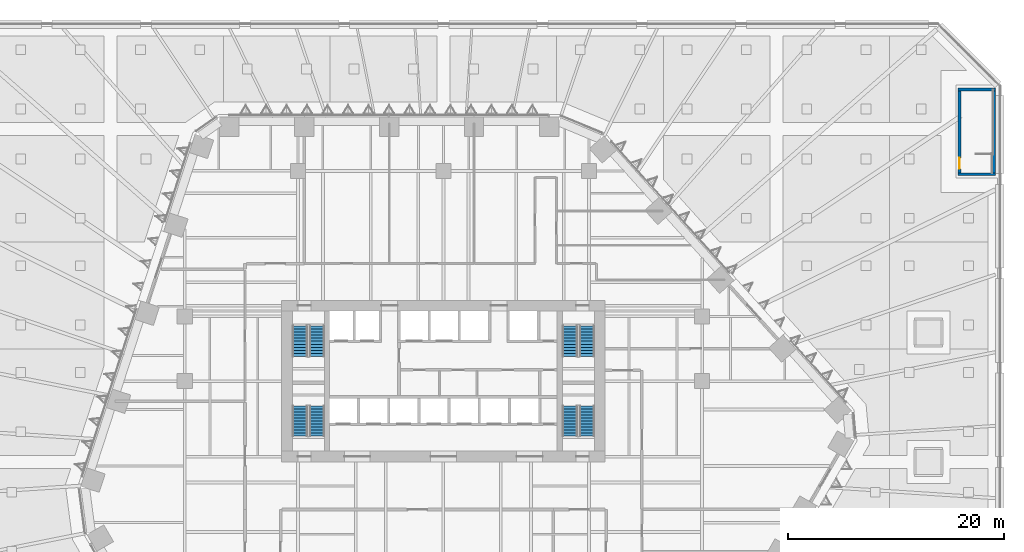
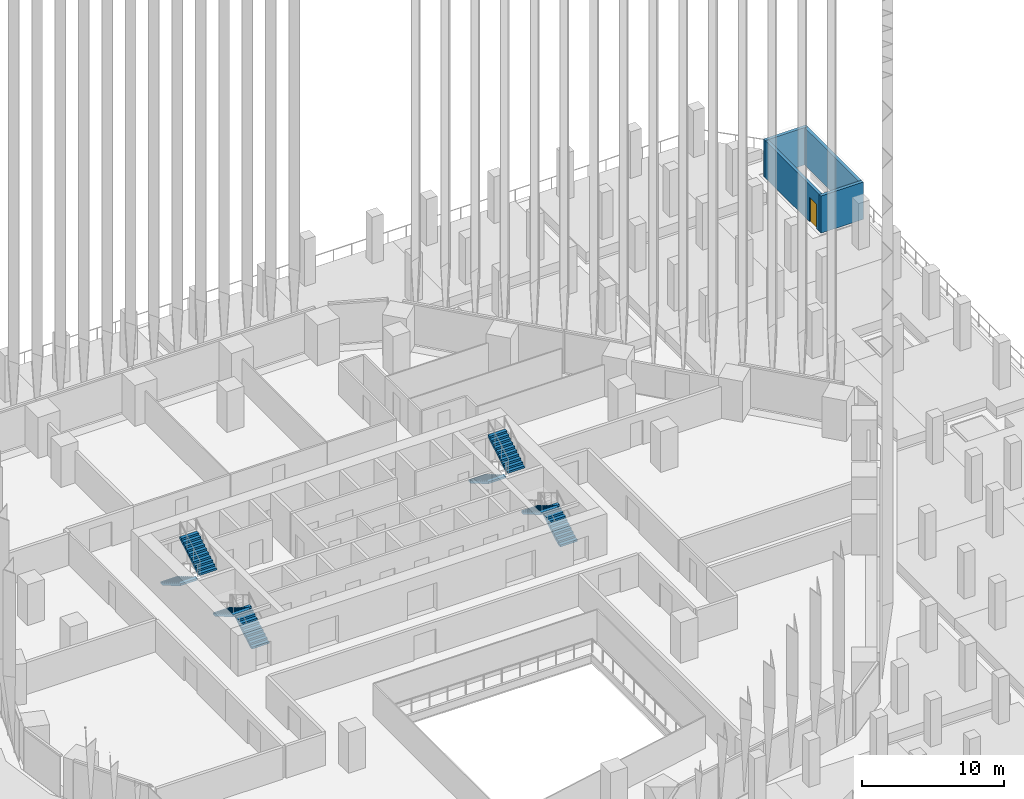
# One storey, part 29 of 51: 8 stair flights, 4 walls, 1 door, 1 opening, 4 elements without a shape of their own.
"""IFC4 building model written with IfcOpenShell, lengths in metres."""

from ifc_helpers import new_model, si_unit, direction, frame, frame_2d, origin, place, context, subcontext, project, spatial, polyline, rectangle, outline, extrude, material, layer, layer_set, type_object, element, fill, aggregate, save


model = new_model("IFC4")

# Units and contexts
model_context = context("Model", 3, precision=1e-05, world=origin(), true_north=direction((0.0, 1.0)))
body_context = subcontext(model_context, "Body", "Model", "MODEL_VIEW")
ifc_project = project(units=[si_unit("LENGTHUNIT", "METRE"), si_unit("AREAUNIT", "SQUARE_METRE"), si_unit("VOLUMEUNIT", "CUBIC_METRE"), si_unit("PLANEANGLEUNIT", "RADIAN"), si_unit("MASSUNIT", "GRAM", prefix="KILO")], contexts=[model_context])

# Site, building, storey
site_placement = place(None, origin())
site = spatial("IfcSite", under=ifc_project, at=site_placement, CompositionType="ELEMENT")
building_placement = place(site_placement, origin())
building = spatial("IfcBuilding", under=site, at=building_placement, Name="Isthmus Gate Tower", CompositionType="ELEMENT")
storey_placement = place(building_placement, frame((0.0, 0.0, 36.0)))
storey = spatial("IfcBuildingStorey", under=building, at=storey_placement, Name="L06", CompositionType="ELEMENT", Elevation=36.0)

# Walls
ifc_material_1 = material(Name="Concrete f'c 40 MPa", Category="concrete")
ifc_layer = layer(ifc_material_1, 0.25)
ifc_layer_set = layer_set([ifc_layer])
wall_type = type_object("IfcWallType", Name="Stair shaft wall 250 reinforced concrete", PredefinedType="SHEAR", material=ifc_layer_set)
for number, where, z_axis, x_axis, name in (
    (1, (47.75, 26.699951171875, 0.0), (0.0, 0.0, 1.0), (1.0, 0.0, 0.0), "Stair head-house wall"),
    (2, (47.75, 34.550048828125, 0.0), (0.0, 0.0, 1.0), (1.0, 0.0, 0.0), "Stair head-house wall"),
):
    element("IfcWall", number, at=place(storey_placement, frame(where, z_axis=z_axis, x_axis=x_axis)), inside=storey, type_object=wall_type, Name=name, PredefinedType="SHEAR", context=body_context, shape_type="SweptSolid", body=[
        extrude(rectangle(XDim=3.449951171875, YDim=0.25, at=frame_2d((1.72509765625, 0.0))), origin(), (0.0, 0.0, 1.0), 3.199951171875),
    ])

# Wall, opening, door
wall_1_placement = place(storey_placement, frame((47.875, 26.824951171875, 0.0), z_axis=(0.0, 0.0, 1.0), x_axis=(0.0, 1.0, 0.0)))
wall_1 = element("IfcWall", 3, at=wall_1_placement, inside=storey, type_object=wall_type, Name="Stair head-house wall", PredefinedType="SHEAR", context=body_context, shape_type="SweptSolid", body=[
    extrude(rectangle(XDim=7.60009765625, YDim=0.25, at=frame_2d((3.800048828125, 0.0))), origin(), (0.0, 0.0, 1.0), 3.199951171875),
])
opening_placement = place(wall_1_placement, frame((0.375, 0.0, 0.0)))
opening = element("IfcOpeningElement", 4, at=opening_placement, cuts=wall_1, Name="Opening DP06-51", PredefinedType="OPENING", context=body_context, shape_type="SweptSolid", body=[
    extrude(rectangle(XDim=1.0, YDim=2.10009765625, at=frame_2d((0.5, 1.050048828125))), frame((0.0, 0.135009765625, 0.0), z_axis=(0.0, -1.0, 0.0), x_axis=(1.0, 0.0, 0.0)), (0.0, 0.0, 1.0), 0.27001953125),
])
ifc_material_2 = material(Name="Steel fire door with intumescent seals", Category="steel")
door_type = type_object("IfcDoorType", Name="Fire door 1000 x 2100", OperationType="SINGLE_SWING_LEFT", PredefinedType="DOOR", material=ifc_material_2)
door_placement = place(opening_placement, origin())
door = element("IfcDoor", 5, at=door_placement, inside=storey, type_object=door_type, Name="Door DP06-51", OperationType="SINGLE_SWING_LEFT", OverallHeight=2.10009765625, OverallWidth=1.0, PredefinedType="DOOR", context=body_context, shape_type="SweptSolid", body=[
    extrude(rectangle(XDim=1.0, YDim=2.10009765625, at=frame_2d((0.5, 1.050048828125))), frame((0.0, 0.02490234375, 0.0), z_axis=(0.0, -1.0, 0.0), x_axis=(1.0, 0.0, 0.0)), (0.0, 0.0, 1.0), 0.050048828125),
])
fill(opening, door)

# Wall
wall_2_placement = place(storey_placement, frame((51.074951171875, 26.824951171875, 0.0), z_axis=(0.0, 0.0, 1.0), x_axis=(0.0, 1.0, 0.0)))
element("IfcWall", 6, at=wall_2_placement, inside=storey, type_object=wall_type, Name="Stair head-house wall", PredefinedType="SHEAR", context=body_context, shape_type="SweptSolid", body=[
    extrude(rectangle(XDim=7.60009765625, YDim=0.25, at=frame_2d((3.800048828125, 0.0))), origin(), (0.0, 0.0, 1.0), 3.199951171875),
])

# Stair, stair flights
ifc_material_3 = material(Name="Concrete f'c 40 MPa", Category="concrete")
stair_type = type_object("IfcStairType", Name="CORE STAIR 22 RISERS", PredefinedType="HALF_TURN_STAIR", material=ifc_material_3)
stair_1_placement = place(storey_placement, origin())
stair_1 = element("IfcStair", 7, at=stair_1_placement, inside=storey, type_object=stair_type, Name="L06 Exit Stair 1", PredefinedType="HALF_TURN_STAIR")
ifc_material_4 = material(Name="Concrete f'c 40 MPa", Category="concrete")
stair_flight_type = type_object("IfcStairFlightType", Name="STAIR FLIGHT RC 1400", PredefinedType="STRAIGHT", material=ifc_material_4)
stair_flight_1_placement = place(storey_placement, frame((-13.300048828125, 12.60009765625, 0.0), z_axis=(0.0, 0.0, 1.0), x_axis=(0.0, -1.0, 0.0)))
stair_flight_1 = element("IfcStairFlight", 8, at=stair_flight_1_placement, type_object=stair_flight_type, Name="ST1 flight 1", NumberOfRisers=11, NumberOfTreads=10, PredefinedType="STRAIGHT", RiserHeight=0.165909091, TreadLength=0.28, context=body_context, shape_type="SweptSolid", body=[
    extrude(outline(polyline([(0.0, 0.0), (0.0, 0.166015625), (0.280029296875, 0.166015625), (0.280029296875, 0.331787109375), (0.56005859375, 0.331787109375), (0.56005859375, 0.497802734375), (0.840087890625, 0.497802734375), (0.840087890625, 0.66357421875), (1.1201171875, 0.66357421875), (1.1201171875, 0.82958984375), (1.39990234375, 0.82958984375), (1.39990234375, 0.995361328125), (1.679931640625, 0.995361328125), (1.679931640625, 1.161376953125), (1.9599609375, 1.161376953125), (1.9599609375, 1.327392578125), (2.239990234375, 1.327392578125), (2.239990234375, 1.4931640625), (2.52001953125, 1.4931640625), (2.52001953125, 1.6591796875), (2.800048828125, 1.6591796875), (2.800048828125, 1.824951171875), (2.800048828125, 1.48486328125), (0.2939453125, 0.0), (0.0, 0.0)])), frame((0.0, 0.699951171875, 0.0), z_axis=(0.0, -1.0, 0.0), x_axis=(1.0, 0.0, 0.0)), (0.0, 0.0, 1.0), 1.39990234375),
])
stair_flight_2_placement = place(storey_placement, frame((-11.75, 9.800048828125, 1.824951171875), z_axis=(0.0, 0.0, 1.0), x_axis=(0.0, 1.0, 0.0)))
stair_flight_2 = element("IfcStairFlight", 9, at=stair_flight_2_placement, type_object=stair_flight_type, Name="ST1 flight 2", NumberOfRisers=11, NumberOfTreads=10, PredefinedType="STRAIGHT", RiserHeight=0.165909091, TreadLength=0.28, context=body_context, shape_type="SweptSolid", body=[
    extrude(outline(polyline([(0.0, 0.0), (0.0, 0.166015625), (0.280029296875, 0.166015625), (0.280029296875, 0.331787109375), (0.56005859375, 0.331787109375), (0.56005859375, 0.497802734375), (0.840087890625, 0.497802734375), (0.840087890625, 0.66357421875), (1.1201171875, 0.66357421875), (1.1201171875, 0.82958984375), (1.39990234375, 0.82958984375), (1.39990234375, 0.995361328125), (1.679931640625, 0.995361328125), (1.679931640625, 1.161376953125), (1.9599609375, 1.161376953125), (1.9599609375, 1.327392578125), (2.239990234375, 1.327392578125), (2.239990234375, 1.4931640625), (2.52001953125, 1.4931640625), (2.52001953125, 1.6591796875), (2.800048828125, 1.6591796875), (2.800048828125, 1.824951171875), (2.800048828125, 1.48486328125), (0.2939453125, 0.0), (0.0, 0.0)])), frame((0.0, 0.699951171875, 0.0), z_axis=(0.0, -1.0, 0.0), x_axis=(1.0, 0.0, 0.0)), (0.0, 0.0, 1.0), 1.39990234375),
])
aggregate(stair_1, [stair_flight_1, stair_flight_2])

stair_2_placement = place(storey_placement, origin())
stair_2 = element("IfcStair", 10, at=stair_2_placement, inside=storey, type_object=stair_type, Name="L06 Exit Stair 2", PredefinedType="HALF_TURN_STAIR")
stair_flight_3_placement = place(storey_placement, frame((11.75, 12.60009765625, 0.0), z_axis=(0.0, 0.0, 1.0), x_axis=(0.0, -1.0, 0.0)))
stair_flight_3 = element("IfcStairFlight", 11, at=stair_flight_3_placement, type_object=stair_flight_type, Name="ST2 flight 1", NumberOfRisers=11, NumberOfTreads=10, PredefinedType="STRAIGHT", RiserHeight=0.165909091, TreadLength=0.28, context=body_context, shape_type="SweptSolid", body=[
    extrude(outline(polyline([(0.0, 0.0), (0.0, 0.166015625), (0.280029296875, 0.166015625), (0.280029296875, 0.331787109375), (0.56005859375, 0.331787109375), (0.56005859375, 0.497802734375), (0.840087890625, 0.497802734375), (0.840087890625, 0.66357421875), (1.1201171875, 0.66357421875), (1.1201171875, 0.82958984375), (1.39990234375, 0.82958984375), (1.39990234375, 0.995361328125), (1.679931640625, 0.995361328125), (1.679931640625, 1.161376953125), (1.9599609375, 1.161376953125), (1.9599609375, 1.327392578125), (2.239990234375, 1.327392578125), (2.239990234375, 1.4931640625), (2.52001953125, 1.4931640625), (2.52001953125, 1.6591796875), (2.800048828125, 1.6591796875), (2.800048828125, 1.824951171875), (2.800048828125, 1.48486328125), (0.2939453125, 0.0), (0.0, 0.0)])), frame((0.0, 0.699951171875, 0.0), z_axis=(0.0, -1.0, 0.0), x_axis=(1.0, 0.0, 0.0)), (0.0, 0.0, 1.0), 1.39990234375),
])
stair_flight_4_placement = place(storey_placement, frame((13.300048828125, 9.800048828125, 1.824951171875), z_axis=(0.0, 0.0, 1.0), x_axis=(0.0, 1.0, 0.0)))
stair_flight_4 = element("IfcStairFlight", 12, at=stair_flight_4_placement, type_object=stair_flight_type, Name="ST2 flight 2", NumberOfRisers=11, NumberOfTreads=10, PredefinedType="STRAIGHT", RiserHeight=0.165909091, TreadLength=0.28, context=body_context, shape_type="SweptSolid", body=[
    extrude(outline(polyline([(0.0, 0.0), (0.0, 0.166015625), (0.280029296875, 0.166015625), (0.280029296875, 0.331787109375), (0.56005859375, 0.331787109375), (0.56005859375, 0.497802734375), (0.840087890625, 0.497802734375), (0.840087890625, 0.66357421875), (1.1201171875, 0.66357421875), (1.1201171875, 0.82958984375), (1.39990234375, 0.82958984375), (1.39990234375, 0.995361328125), (1.679931640625, 0.995361328125), (1.679931640625, 1.161376953125), (1.9599609375, 1.161376953125), (1.9599609375, 1.327392578125), (2.239990234375, 1.327392578125), (2.239990234375, 1.4931640625), (2.52001953125, 1.4931640625), (2.52001953125, 1.6591796875), (2.800048828125, 1.6591796875), (2.800048828125, 1.824951171875), (2.800048828125, 1.48486328125), (0.2939453125, 0.0), (0.0, 0.0)])), frame((0.0, 0.699951171875, 0.0), z_axis=(0.0, -1.0, 0.0), x_axis=(1.0, 0.0, 0.0)), (0.0, 0.0, 1.0), 1.39990234375),
])
aggregate(stair_2, [stair_flight_3, stair_flight_4])

stair_3_placement = place(storey_placement, origin())
stair_3 = element("IfcStair", 13, at=stair_3_placement, inside=storey, type_object=stair_type, Name="L06 Exit Stair 7", PredefinedType="HALF_TURN_STAIR")
stair_flight_5_placement = place(storey_placement, frame((-11.75, 2.39990234375, 0.0), z_axis=(0.0, 0.0, 1.0), x_axis=(0.0, 1.0, 0.0)))
stair_flight_5 = element("IfcStairFlight", 14, at=stair_flight_5_placement, type_object=stair_flight_type, Name="ST7 flight 1", NumberOfRisers=11, NumberOfTreads=10, PredefinedType="STRAIGHT", RiserHeight=0.165909091, TreadLength=0.28, context=body_context, shape_type="SweptSolid", body=[
    extrude(outline(polyline([(0.0, 0.0), (0.0, 0.166015625), (0.280029296875, 0.166015625), (0.280029296875, 0.331787109375), (0.56005859375, 0.331787109375), (0.56005859375, 0.497802734375), (0.840087890625, 0.497802734375), (0.840087890625, 0.66357421875), (1.1201171875, 0.66357421875), (1.1201171875, 0.82958984375), (1.39990234375, 0.82958984375), (1.39990234375, 0.995361328125), (1.679931640625, 0.995361328125), (1.679931640625, 1.161376953125), (1.9599609375, 1.161376953125), (1.9599609375, 1.327392578125), (2.239990234375, 1.327392578125), (2.239990234375, 1.4931640625), (2.52001953125, 1.4931640625), (2.52001953125, 1.6591796875), (2.800048828125, 1.6591796875), (2.800048828125, 1.824951171875), (2.800048828125, 1.48486328125), (0.2939453125, 0.0), (0.0, 0.0)])), frame((0.0, 0.699951171875, 0.0), z_axis=(0.0, -1.0, 0.0), x_axis=(1.0, 0.0, 0.0)), (0.0, 0.0, 1.0), 1.39990234375),
])
stair_flight_6_placement = place(storey_placement, frame((-13.300048828125, 5.199951171875, 1.824951171875), z_axis=(0.0, 0.0, 1.0), x_axis=(0.0, -1.0, 0.0)))
stair_flight_6 = element("IfcStairFlight", 15, at=stair_flight_6_placement, type_object=stair_flight_type, Name="ST7 flight 2", NumberOfRisers=11, NumberOfTreads=10, PredefinedType="STRAIGHT", RiserHeight=0.165909091, TreadLength=0.28, context=body_context, shape_type="SweptSolid", body=[
    extrude(outline(polyline([(0.0, 0.0), (0.0, 0.166015625), (0.280029296875, 0.166015625), (0.280029296875, 0.331787109375), (0.56005859375, 0.331787109375), (0.56005859375, 0.497802734375), (0.840087890625, 0.497802734375), (0.840087890625, 0.66357421875), (1.1201171875, 0.66357421875), (1.1201171875, 0.82958984375), (1.39990234375, 0.82958984375), (1.39990234375, 0.995361328125), (1.679931640625, 0.995361328125), (1.679931640625, 1.161376953125), (1.9599609375, 1.161376953125), (1.9599609375, 1.327392578125), (2.239990234375, 1.327392578125), (2.239990234375, 1.4931640625), (2.52001953125, 1.4931640625), (2.52001953125, 1.6591796875), (2.800048828125, 1.6591796875), (2.800048828125, 1.824951171875), (2.800048828125, 1.48486328125), (0.2939453125, 0.0), (0.0, 0.0)])), frame((0.0, 0.699951171875, 0.0), z_axis=(0.0, -1.0, 0.0), x_axis=(1.0, 0.0, 0.0)), (0.0, 0.0, 1.0), 1.39990234375),
])
aggregate(stair_3, [stair_flight_5, stair_flight_6])

stair_4_placement = place(storey_placement, origin())
stair_4 = element("IfcStair", 16, at=stair_4_placement, inside=storey, type_object=stair_type, Name="L06 Exit Stair 8", PredefinedType="HALF_TURN_STAIR")
stair_flight_7_placement = place(storey_placement, frame((13.300048828125, 2.39990234375, 0.0), z_axis=(0.0, 0.0, 1.0), x_axis=(0.0, 1.0, 0.0)))
stair_flight_7 = element("IfcStairFlight", 17, at=stair_flight_7_placement, type_object=stair_flight_type, Name="ST8 flight 1", NumberOfRisers=11, NumberOfTreads=10, PredefinedType="STRAIGHT", RiserHeight=0.165909091, TreadLength=0.28, context=body_context, shape_type="SweptSolid", body=[
    extrude(outline(polyline([(0.0, 0.0), (0.0, 0.166015625), (0.280029296875, 0.166015625), (0.280029296875, 0.331787109375), (0.56005859375, 0.331787109375), (0.56005859375, 0.497802734375), (0.840087890625, 0.497802734375), (0.840087890625, 0.66357421875), (1.1201171875, 0.66357421875), (1.1201171875, 0.82958984375), (1.39990234375, 0.82958984375), (1.39990234375, 0.995361328125), (1.679931640625, 0.995361328125), (1.679931640625, 1.161376953125), (1.9599609375, 1.161376953125), (1.9599609375, 1.327392578125), (2.239990234375, 1.327392578125), (2.239990234375, 1.4931640625), (2.52001953125, 1.4931640625), (2.52001953125, 1.6591796875), (2.800048828125, 1.6591796875), (2.800048828125, 1.824951171875), (2.800048828125, 1.48486328125), (0.2939453125, 0.0), (0.0, 0.0)])), frame((0.0, 0.699951171875, 0.0), z_axis=(0.0, -1.0, 0.0), x_axis=(1.0, 0.0, 0.0)), (0.0, 0.0, 1.0), 1.39990234375),
])
stair_flight_8_placement = place(storey_placement, frame((11.75, 5.199951171875, 1.824951171875), z_axis=(0.0, 0.0, 1.0), x_axis=(0.0, -1.0, 0.0)))
stair_flight_8 = element("IfcStairFlight", 18, at=stair_flight_8_placement, type_object=stair_flight_type, Name="ST8 flight 2", NumberOfRisers=11, NumberOfTreads=10, PredefinedType="STRAIGHT", RiserHeight=0.165909091, TreadLength=0.28, context=body_context, shape_type="SweptSolid", body=[
    extrude(outline(polyline([(0.0, 0.0), (0.0, 0.166015625), (0.280029296875, 0.166015625), (0.280029296875, 0.331787109375), (0.56005859375, 0.331787109375), (0.56005859375, 0.497802734375), (0.840087890625, 0.497802734375), (0.840087890625, 0.66357421875), (1.1201171875, 0.66357421875), (1.1201171875, 0.82958984375), (1.39990234375, 0.82958984375), (1.39990234375, 0.995361328125), (1.679931640625, 0.995361328125), (1.679931640625, 1.161376953125), (1.9599609375, 1.161376953125), (1.9599609375, 1.327392578125), (2.239990234375, 1.327392578125), (2.239990234375, 1.4931640625), (2.52001953125, 1.4931640625), (2.52001953125, 1.6591796875), (2.800048828125, 1.6591796875), (2.800048828125, 1.824951171875), (2.800048828125, 1.48486328125), (0.2939453125, 0.0), (0.0, 0.0)])), frame((0.0, 0.699951171875, 0.0), z_axis=(0.0, -1.0, 0.0), x_axis=(1.0, 0.0, 0.0)), (0.0, 0.0, 1.0), 1.39990234375),
])
aggregate(stair_4, [stair_flight_7, stair_flight_8])

save(model, "model.ifc")
